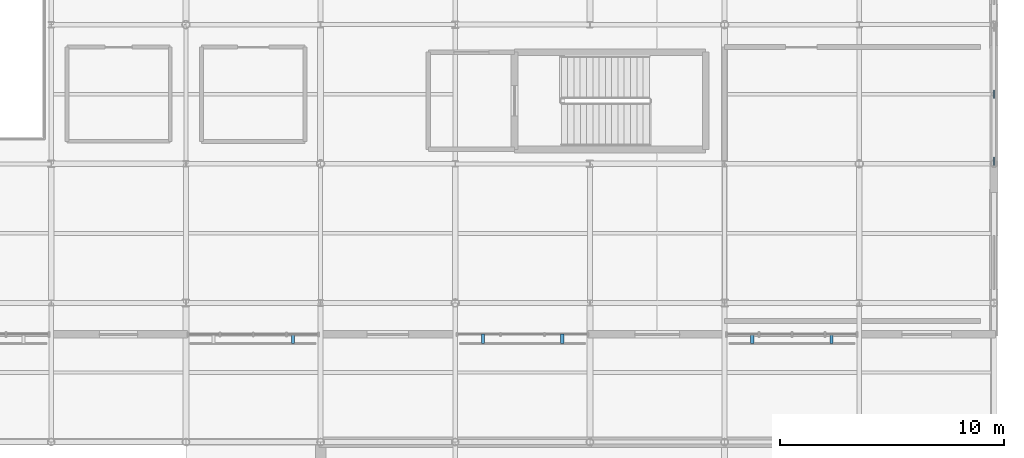
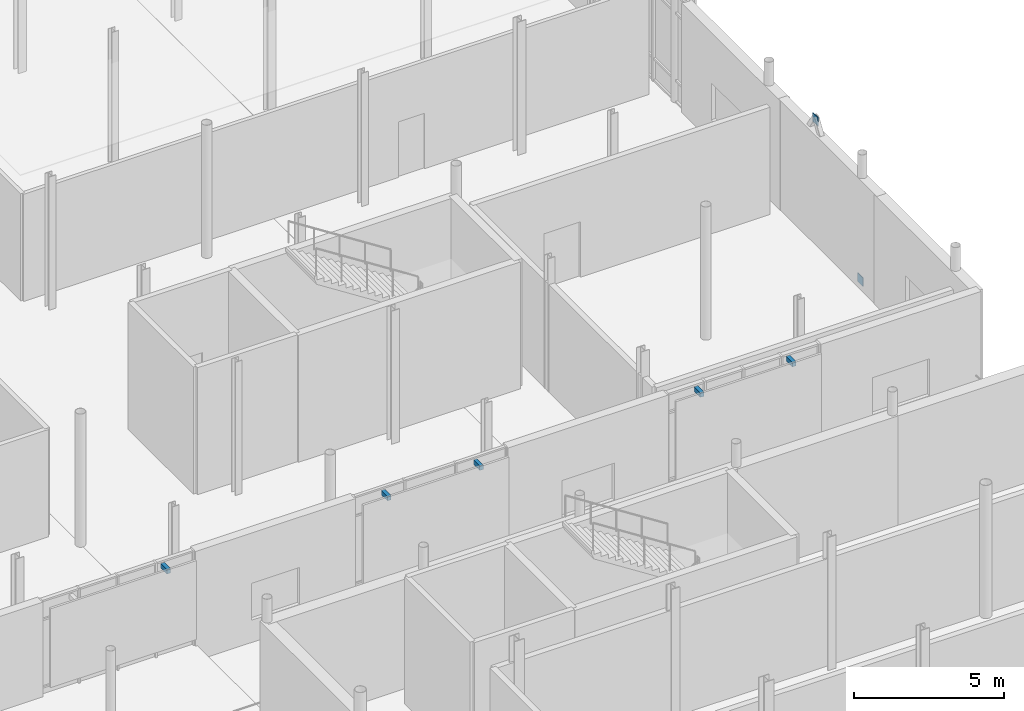
# One storey, part 86 of 105: 7 discrete accessories.
"""IFC4 building model written with IfcOpenShell, lengths in metres."""

from ifc_helpers import new_model, si_unit, direction, frame, origin, origin_2d, place, context, subcontext, project, spatial, rectangle, extrude, material, type_object, element, save


model = new_model("IFC4")

# Units and contexts
model_context = context("Model", 3, precision=1e-05, world=origin(), true_north=direction((0.0, 1.0)))
body_context = subcontext(model_context, "Body", "Model", "MODEL_VIEW")
ifc_project = project(units=[si_unit("LENGTHUNIT", "METRE"), si_unit("AREAUNIT", "SQUARE_METRE"), si_unit("VOLUMEUNIT", "CUBIC_METRE"), si_unit("PLANEANGLEUNIT", "RADIAN"), si_unit("MASSUNIT", "GRAM", prefix="KILO")], contexts=[model_context])

# Site, building, storey
site_placement = place(None, origin())
site = spatial("IfcSite", under=ifc_project, at=site_placement, CompositionType="ELEMENT")
building_placement = place(site_placement, origin())
building = spatial("IfcBuilding", under=site, at=building_placement, Name="Mirzam Square Science Centre", CompositionType="ELEMENT")
storey_placement = place(building_placement, frame((0.0, 0.0, 5.39990234375)))
storey = spatial("IfcBuildingStorey", under=building, at=storey_placement, Name="L01", CompositionType="ELEMENT", Elevation=5.39990234375)

# Discrete accessories
ifc_material = material(Name="Steel S355", Category="steel")
discrete_accessory_type_1 = type_object("IfcDiscreteAccessoryType", Name="BK-BRACE-GUSSET", PredefinedType="BRACKET", material=ifc_material)
for number, where, z_axis, x_axis, name in (
    (1, (162.0, 49.719970703125, -0.0048828125), (0.0, 0.0, 1.0), (0.0, 1.0, 0.0), "L01 brace gusset plate 4A"),
    (2, (162.0, 52.699951171875, 4.679931640625), (0.0, 0.0, 1.0), (0.0, 1.0, 0.0), "L01 brace apex gusset plate 4"),
):
    element("IfcDiscreteAccessory", number, at=place(storey_placement, frame(where, z_axis=z_axis, x_axis=x_axis)), inside=storey, type_object=discrete_accessory_type_1, Name=name, PredefinedType="BRACKET", context=body_context, shape_type="SweptSolid", body=[
        extrude(rectangle(XDim=0.35009765625, YDim=0.02490234375, at=origin_2d()), origin(), (0.0, 0.0, 1.0), 0.35009765625),
    ])
discrete_accessory_type_2 = type_object("IfcDiscreteAccessoryType", Name="BRK-BRISE-STEEL", PredefinedType="BRACKET", material=ifc_material)
for number, where, z_axis, x_axis, name in (
    (3, (130.76708984375, 41.81005859375, 4.10009765625), (0.0, 0.0, 1.0), (1.0, 0.0, 0.0), "L01 brise-soleil support bracket 72"),
    (4, (139.23291015625, 41.81005859375, 4.10009765625), (0.0, 0.0, 1.0), (1.0, 0.0, 0.0), "L01 brise-soleil support bracket 73"),
    (5, (142.76708984375, 41.81005859375, 4.10009765625), (0.0, 0.0, 1.0), (1.0, 0.0, 0.0), "L01 brise-soleil support bracket 73"),
    (6, (151.23291015625, 41.81005859375, 4.10009765625), (0.0, 0.0, 1.0), (1.0, 0.0, 0.0), "L01 brise-soleil support bracket 74"),
    (7, (154.76708984375, 41.81005859375, 4.10009765625), (0.0, 0.0, 1.0), (1.0, 0.0, 0.0), "L01 brise-soleil support bracket 74"),
):
    element("IfcDiscreteAccessory", number, at=place(storey_placement, frame(where, z_axis=z_axis, x_axis=x_axis)), inside=storey, type_object=discrete_accessory_type_2, Name=name, PredefinedType="BRACKET", context=body_context, shape_type="SweptSolid", body=[
        extrude(rectangle(XDim=0.139892578125, YDim=0.419921875, at=origin_2d()), origin(), (0.0, 0.0, 1.0), 0.179931640625),
    ])

save(model, "model.ifc")
